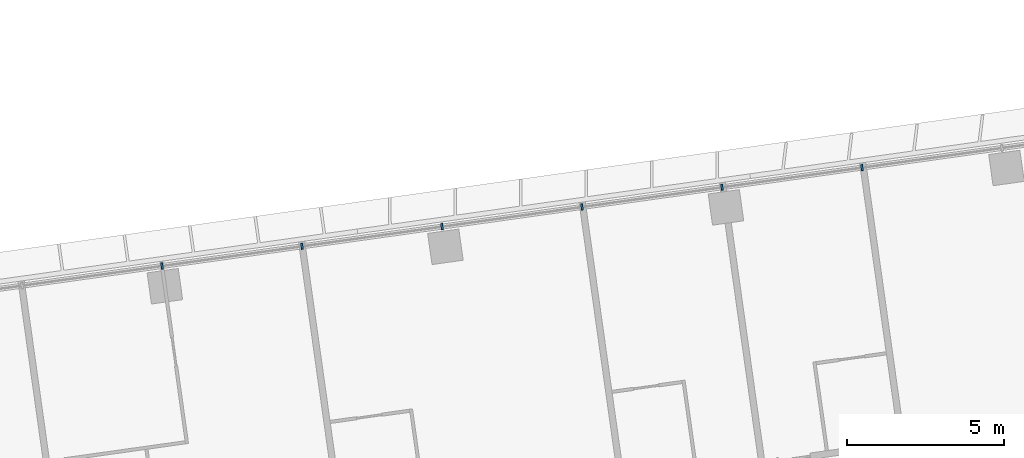
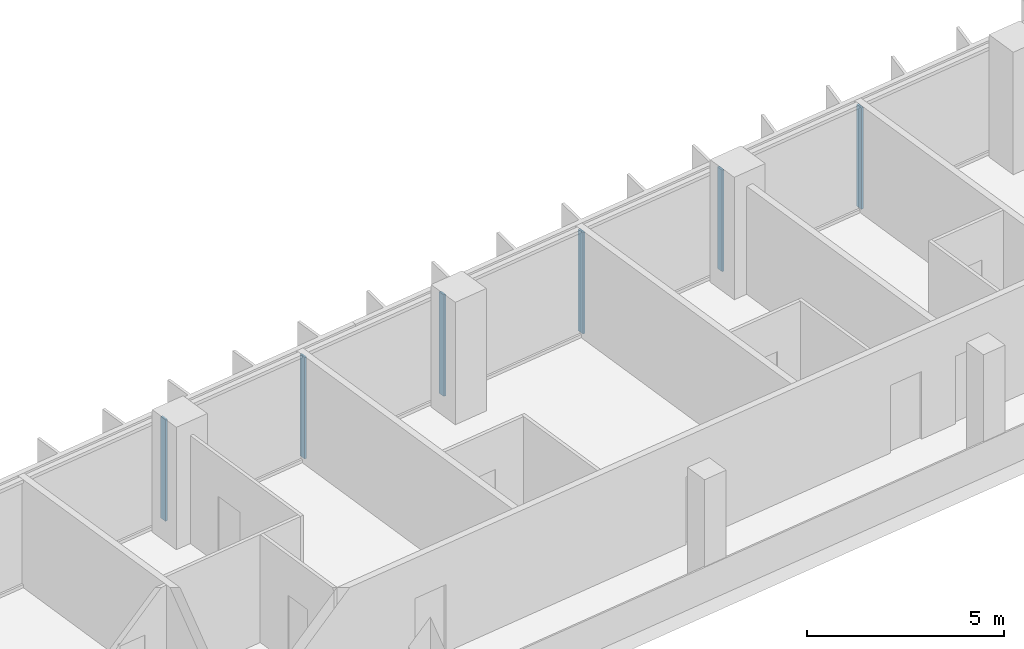
# One storey, part 10 of 24: 6 members, 1 element without a shape of its own.
"""IFC4 building model written with IfcOpenShell, lengths in metres."""

from ifc_helpers import new_model, si_unit, direction, frame, origin, origin_2d, place, context, subcontext, project, spatial, rectangle, extrude, material, material_profile, profile_set, type_object, element, aggregate, save


model = new_model("IFC4")

# Units and contexts
model_context = context("Model", 3, precision=1e-05, world=origin(), true_north=direction((0.0, 1.0)))
body_context = subcontext(model_context, "Body", "Model", "MODEL_VIEW")
ifc_project = project(units=[si_unit("LENGTHUNIT", "METRE"), si_unit("AREAUNIT", "SQUARE_METRE"), si_unit("VOLUMEUNIT", "CUBIC_METRE"), si_unit("PLANEANGLEUNIT", "RADIAN"), si_unit("MASSUNIT", "GRAM", prefix="KILO")], contexts=[model_context])

# Site, building, storey
site_placement = place(None, origin())
site = spatial("IfcSite", under=ifc_project, at=site_placement, CompositionType="ELEMENT")
building_placement = place(site_placement, origin())
building = spatial("IfcBuilding", under=site, at=building_placement, Name="Mirante Cascada Hotel Towers", CompositionType="ELEMENT")
storey_placement = place(building_placement, frame((0.0, 0.0, 85.1)))
storey = spatial("IfcBuildingStorey", under=building, at=storey_placement, Name="L18", CompositionType="ELEMENT", Elevation=85.1)

# Curtain wall, members
ifc_material_1 = material(Name="Aluminium mullion and transom frame with clear laminated glass", Category="aluminium")
curtain_wall_type = type_object("IfcCurtainWallType", Name="Ribbon curtain wall ECW1", PredefinedType="NOTDEFINED", material=ifc_material_1)
curtain_wall_placement = place(storey_placement, origin())
curtain_wall = element("IfcCurtainWall", 1, at=curtain_wall_placement, inside=storey, type_object=curtain_wall_type, Name="Front ribbon wall T2 L18", PredefinedType="NOTDEFINED")
ifc_material_2 = material(Name="Anodised aluminium extrusion", Category="aluminium")
ifc_material_profile = material_profile(ifc_material_2, rectangle(XDim=0.2, YDim=0.065, at=origin_2d()), Name="ECW1 MULLION 65x200")
ifc_profile_set = profile_set([ifc_material_profile], Name="Anodised aluminium extrusion")
member_type = type_object("IfcMemberType", Name="ECW1 mullion 65x200", PredefinedType="MULLION", material=ifc_profile_set)
member_1_placement = place(storey_placement, frame((85.2633, 24.802, 0.1), z_axis=(0.0, 0.0, 1.0), x_axis=(0.1391731, -0.9902681, 0.0)))
member_1 = element("IfcMember", 2, at=member_1_placement, type_object=member_type, Name="ECW1 mullion 3", PredefinedType="MULLION", context=body_context, shape_type="SweptSolid", body=[
    extrude(rectangle(XDim=0.2, YDim=0.065, at=origin_2d()), origin(), (0.0, 0.0, 1.0), 3.15),
])
member_2_placement = place(storey_placement, frame((80.8159, 24.177, 0.1), z_axis=(0.0, 0.0, 1.0), x_axis=(0.1391731, -0.9902681, 0.0)))
member_2 = element("IfcMember", 3, at=member_2_placement, type_object=member_type, Name="ECW1 mullion 4", PredefinedType="MULLION", context=body_context, shape_type="SweptSolid", body=[
    extrude(rectangle(XDim=0.2, YDim=0.065, at=origin_2d()), origin(), (0.0, 0.0, 1.0), 3.15),
])
member_3_placement = place(storey_placement, frame((76.3685, 23.5519, 0.1), z_axis=(0.0, 0.0, 1.0), x_axis=(0.1391731, -0.9902681, 0.0)))
member_3 = element("IfcMember", 4, at=member_3_placement, type_object=member_type, Name="ECW1 mullion 5", PredefinedType="MULLION", context=body_context, shape_type="SweptSolid", body=[
    extrude(rectangle(XDim=0.2, YDim=0.065, at=origin_2d()), origin(), (0.0, 0.0, 1.0), 3.15),
])
member_4_placement = place(storey_placement, frame((71.9211, 22.9269, 0.1), z_axis=(0.0, 0.0, 1.0), x_axis=(0.1391731, -0.9902681, 0.0)))
member_4 = element("IfcMember", 5, at=member_4_placement, type_object=member_type, Name="ECW1 mullion 6", PredefinedType="MULLION", context=body_context, shape_type="SweptSolid", body=[
    extrude(rectangle(XDim=0.2, YDim=0.065, at=origin_2d()), origin(), (0.0, 0.0, 1.0), 3.15),
])
member_5_placement = place(storey_placement, frame((67.4737, 22.3018, 0.1), z_axis=(0.0, 0.0, 1.0), x_axis=(0.1391731, -0.9902681, 0.0)))
member_5 = element("IfcMember", 6, at=member_5_placement, type_object=member_type, Name="ECW1 mullion 7", PredefinedType="MULLION", context=body_context, shape_type="SweptSolid", body=[
    extrude(rectangle(XDim=0.2, YDim=0.065, at=origin_2d()), origin(), (0.0, 0.0, 1.0), 3.15),
])
member_6_placement = place(storey_placement, frame((63.0262, 21.6768, 0.1), z_axis=(0.0, 0.0, 1.0), x_axis=(0.1391731, -0.9902681, 0.0)))
member_6 = element("IfcMember", 7, at=member_6_placement, type_object=member_type, Name="ECW1 mullion 8", PredefinedType="MULLION", context=body_context, shape_type="SweptSolid", body=[
    extrude(rectangle(XDim=0.2, YDim=0.065, at=origin_2d()), origin(), (0.0, 0.0, 1.0), 3.15),
])
aggregate(curtain_wall, [member_1, member_2, member_3, member_4, member_5, member_6])

save(model, "model.ifc")
